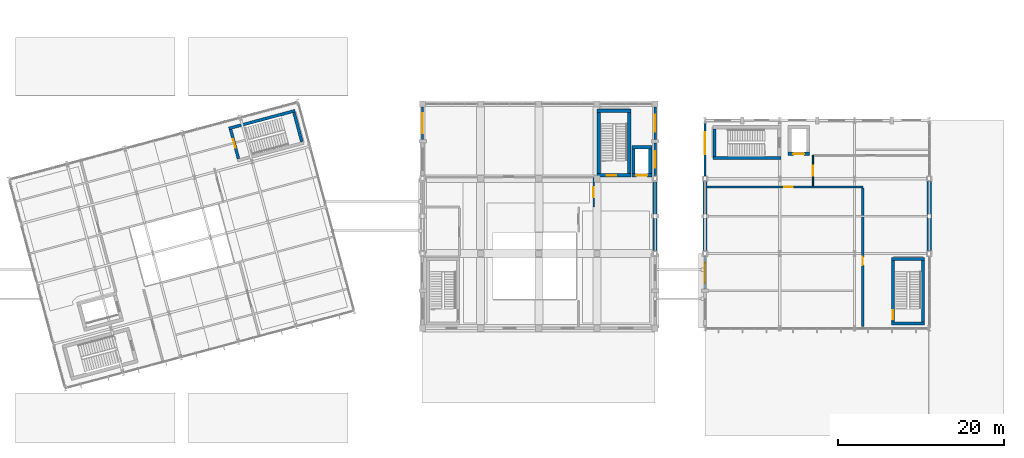
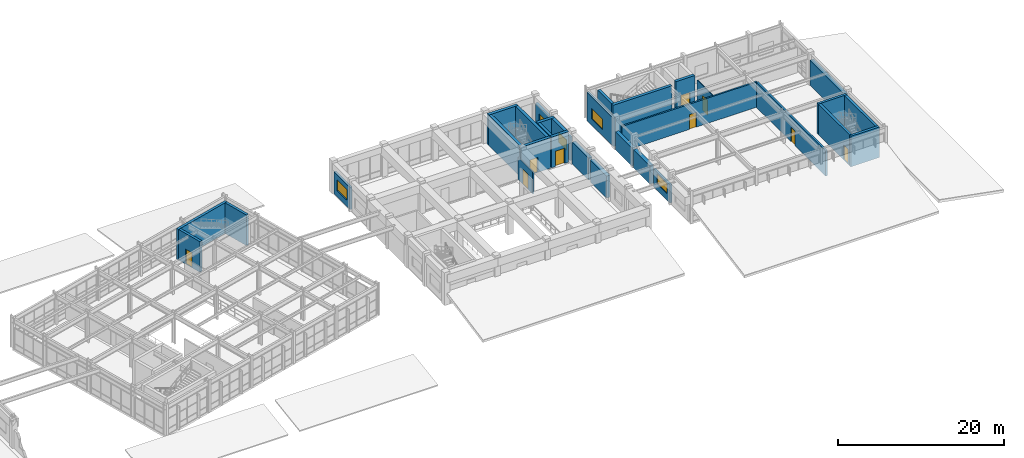
# One storey, part 85 of 104: 32 walls, 9 doors, 5 windows, 14 openings.
"""IFC4 building model written with IfcOpenShell, lengths in metres."""

from ifc_helpers import new_model, si_unit, direction, frame, frame_2d, origin, place, context, subcontext, project, spatial, rectangle, extrude, material, layer, layer_set, type_object, element, fill, save


model = new_model("IFC4")

# Units and contexts
model_context = context("Model", 3, precision=1e-05, world=origin(), true_north=direction((0.0, 1.0)))
body_context = subcontext(model_context, "Body", "Model", "MODEL_VIEW")
ifc_project = project(units=[si_unit("LENGTHUNIT", "METRE"), si_unit("AREAUNIT", "SQUARE_METRE"), si_unit("VOLUMEUNIT", "CUBIC_METRE"), si_unit("PLANEANGLEUNIT", "RADIAN"), si_unit("MASSUNIT", "GRAM", prefix="KILO")], contexts=[model_context])

# Site, building, storey
site_placement = place(None, origin())
site = spatial("IfcSite", under=ifc_project, at=site_placement, CompositionType="ELEMENT")
building_placement = place(site_placement, origin())
building = spatial("IfcBuilding", under=site, at=building_placement, Name="Ventoquebrada Cableway Terminal", CompositionType="ELEMENT")
storey_placement = place(building_placement, frame((0.0, 0.0, 4.800048828125)))
storey = spatial("IfcBuildingStorey", under=building, at=storey_placement, Name="L01", CompositionType="ELEMENT", Elevation=4.800048828125)

# Wall, opening, door
ifc_material_1 = material(Name="Concrete C40/50", Category="concrete")
ifc_layer_1 = layer(ifc_material_1, 0.39990234375)
ifc_layer_set_1 = layer_set([ifc_layer_1], Name="Concrete C40/50")
wall_type_1 = type_object("IfcWallType", Name="WL-CR1", PredefinedType="SHEAR", material=ifc_layer_set_1)
wall_1_placement = place(storey_placement, frame((116.0, 95.39990234375, 0.0), z_axis=(0.0, 0.0, 1.0), x_axis=(1.0, 0.0, 0.0)))
wall_1 = element("IfcWall", 1, at=wall_1_placement, inside=storey, type_object=wall_type_1, Name="Core shear wall IW-0137", PredefinedType="SHEAR", context=body_context, shape_type="SweptSolid", body=[
    extrude(rectangle(XDim=4.10009765625, YDim=0.39990234375, at=frame_2d((2.050048828125, 0.0))), origin(), (0.0, 0.0, 1.0), 4.489990234375),
])
opening_1_placement = place(wall_1_placement, frame((1.199951171875, 0.0, 0.0)))
opening_1 = element("IfcOpeningElement", 2, at=opening_1_placement, cuts=wall_1, Name="Opening D-017", PredefinedType="OPENING", context=body_context, shape_type="SweptSolid", body=[
    extrude(rectangle(XDim=1.10009765625, YDim=2.199951171875, at=frame_2d((0.550048828125, 1.10009765625))), frame((0.0, 0.2099609375, 0.0), z_axis=(0.0, -1.0, 0.0), x_axis=(1.0, 0.0, 0.0)), (0.0, 0.0, 1.0), 0.419921875),
])
ifc_material_2 = material(Name="Galvanized fire-rated steel door assembly", Category="steel")
door_type_1 = type_object("IfcDoorType", Name="DT-IN05", OperationType="SINGLE_SWING_LEFT", PredefinedType="DOOR", material=ifc_material_2)
door_1_placement = place(opening_1_placement, origin())
door_1 = element("IfcDoor", 3, at=door_1_placement, inside=storey, type_object=door_type_1, Name="Core K4-S stair fire door D-017", OperationType="SINGLE_SWING_RIGHT", OverallHeight=2.199951171875, OverallWidth=1.10009765625, PredefinedType="DOOR", context=body_context, shape_type="SweptSolid", body=[
    extrude(rectangle(XDim=1.10009765625, YDim=2.199951171875, at=frame_2d((0.550048828125, 1.10009765625))), frame((0.0, 0.02490234375, 0.0), z_axis=(0.0, -1.0, 0.0), x_axis=(1.0, 0.0, 0.0)), (0.0, 0.0, 1.0), 0.050048828125),
])
fill(opening_1, door_1)

# Walls
wall_2_placement = place(storey_placement, frame((119.89990234375, 95.60009765625, 0.0), z_axis=(0.0, 0.0, 1.0), x_axis=(0.0, 1.0, 0.0)))
element("IfcWall", 4, at=wall_2_placement, inside=storey, type_object=wall_type_1, Name="Core shear wall IW-0138", PredefinedType="SHEAR", context=body_context, shape_type="SweptSolid", body=[
    extrude(rectangle(XDim=7.39990234375, YDim=0.39990234375, at=frame_2d((3.699951171875, 0.0))), origin(), (0.0, 0.0, 1.0), 4.489990234375),
])
wall_3_placement = place(storey_placement, frame((120.10009765625, 103.199951171875, 0.0), z_axis=(0.0, 0.0, 1.0), x_axis=(-1.0, 0.0, 0.0)))
element("IfcWall", 5, at=wall_3_placement, inside=storey, type_object=wall_type_1, Name="Core shear wall IW-0139", PredefinedType="SHEAR", context=body_context, shape_type="SweptSolid", body=[
    extrude(rectangle(XDim=4.10009765625, YDim=0.39990234375, at=frame_2d((2.050048828125, 0.0))), origin(), (0.0, 0.0, 1.0), 4.489990234375),
])
wall_4_placement = place(storey_placement, frame((116.199951171875, 103.0, 0.0), z_axis=(0.0, 0.0, 1.0), x_axis=(0.0, -1.0, 0.0)))
element("IfcWall", 6, at=wall_4_placement, inside=storey, type_object=wall_type_1, Name="Core shear wall IW-0140", PredefinedType="SHEAR", context=body_context, shape_type="SweptSolid", body=[
    extrude(rectangle(XDim=7.39990234375, YDim=0.39990234375, at=frame_2d((3.699951171875, 0.0))), origin(), (0.0, 0.0, 1.0), 4.489990234375),
])

# Wall, opening, door
wall_5_placement = place(storey_placement, frame((120.199951171875, 95.39990234375, 0.0), z_axis=(0.0, 0.0, 1.0), x_axis=(1.0, 0.0, 0.0)))
wall_5 = element("IfcWall", 7, at=wall_5_placement, inside=storey, type_object=wall_type_1, Name="Core shear wall IW-0141", PredefinedType="SHEAR", context=body_context, shape_type="SweptSolid", body=[
    extrude(rectangle(XDim=2.400146484375, YDim=0.39990234375, at=frame_2d((1.2001953125, 0.0))), origin(), (0.0, 0.0, 1.0), 4.489990234375),
])
opening_2_placement = place(wall_5_placement, frame((0.550048828125, 0.0, 0.0)))
opening_2 = element("IfcOpeningElement", 8, at=opening_2_placement, cuts=wall_5, Name="Opening LD-017", PredefinedType="OPENING", context=body_context, shape_type="SweptSolid", body=[
    extrude(rectangle(XDim=1.300048828125, YDim=2.25, at=frame_2d((0.64990234375, 1.125))), frame((0.0, 0.2099609375, 0.0), z_axis=(0.0, -1.0, 0.0), x_axis=(1.0, 0.0, 0.0)), (0.0, 0.0, 1.0), 0.419921875),
])
ifc_material_3 = material(Name="Brushed stainless steel Grade 316", Category="steel")
door_type_2 = type_object("IfcDoorType", Name="DT-LD02", OperationType="SLIDING_TO_RIGHT", PredefinedType="DOOR", material=ifc_material_3)
door_2_placement = place(opening_2_placement, origin())
door_2 = element("IfcDoor", 9, at=door_2_placement, inside=storey, type_object=door_type_2, Name="Lift landing sliding door LD-017", OperationType="SLIDING_TO_RIGHT", OverallHeight=2.25, OverallWidth=1.300048828125, PredefinedType="DOOR", context=body_context, shape_type="SweptSolid", body=[
    extrude(rectangle(XDim=1.300048828125, YDim=2.25, at=frame_2d((0.64990234375, 1.125))), frame((0.0, 0.02490234375, 0.0), z_axis=(0.0, -1.0, 0.0), x_axis=(1.0, 0.0, 0.0)), (0.0, 0.0, 1.0), 0.050048828125),
])
fill(opening_2, door_2)

# Walls
wall_6_placement = place(storey_placement, frame((122.39990234375, 95.60009765625, 0.0), z_axis=(0.0, 0.0, 1.0), x_axis=(0.0, 1.0, 0.0)))
element("IfcWall", 10, at=wall_6_placement, inside=storey, type_object=wall_type_1, Name="Core shear wall IW-0142", PredefinedType="SHEAR", context=body_context, shape_type="SweptSolid", body=[
    extrude(rectangle(XDim=3.0, YDim=0.39990234375, at=frame_2d((1.5, 0.0))), origin(), (0.0, 0.0, 1.0), 4.489990234375),
])
wall_7_placement = place(storey_placement, frame((122.60009765625, 98.800048828125, 0.0), z_axis=(0.0, 0.0, 1.0), x_axis=(-1.0, 0.0, 0.0)))
element("IfcWall", 11, at=wall_7_placement, inside=storey, type_object=wall_type_1, Name="Core shear wall IW-0143", PredefinedType="SHEAR", context=body_context, shape_type="SweptSolid", body=[
    extrude(rectangle(XDim=2.400146484375, YDim=0.39990234375, at=frame_2d((1.2001953125, 0.0))), origin(), (0.0, 0.0, 1.0), 4.489990234375),
])
wall_8_placement = place(storey_placement, frame((120.39990234375, 98.60009765625, 0.0), z_axis=(0.0, 0.0, 1.0), x_axis=(0.0, -1.0, 0.0)))
element("IfcWall", 12, at=wall_8_placement, inside=storey, type_object=wall_type_1, Name="Core shear wall IW-0144", PredefinedType="SHEAR", context=body_context, shape_type="SweptSolid", body=[
    extrude(rectangle(XDim=3.0, YDim=0.39990234375, at=frame_2d((1.5, 0.0))), origin(), (0.0, 0.0, 1.0), 4.489990234375),
])
wall_9_placement = place(storey_placement, frame((129.949951171875, 97.5, 0.0), z_axis=(0.0, 0.0, 1.0), x_axis=(1.0, 0.0, 0.0)))
element("IfcWall", 13, at=wall_9_placement, inside=storey, type_object=wall_type_1, Name="Core shear wall IW-0169", PredefinedType="SHEAR", context=body_context, shape_type="SweptSolid", body=[
    extrude(rectangle(XDim=8.199951171875, YDim=0.39990234375, at=frame_2d((4.10009765625, 0.0))), origin(), (0.0, 0.0, 1.0), 4.489990234375),
])
wall_10_placement = place(storey_placement, frame((130.14990234375, 101.0, 0.0), z_axis=(0.0, 0.0, 1.0), x_axis=(0.0, -1.0, 0.0)))
element("IfcWall", 14, at=wall_10_placement, inside=storey, type_object=wall_type_1, Name="Core shear wall IW-0172", PredefinedType="SHEAR", context=body_context, shape_type="SweptSolid", body=[
    extrude(rectangle(XDim=3.300048828125, YDim=0.39990234375, at=frame_2d((1.64990234375, 0.0))), origin(), (0.0, 0.0, 1.0), 4.489990234375),
])

# Wall, opening, door
wall_11_placement = place(storey_placement, frame((139.0, 98.0, 0.0), z_axis=(0.0, 0.0, 1.0), x_axis=(1.0, 0.0, 0.0)))
wall_11 = element("IfcWall", 15, at=wall_11_placement, inside=storey, type_object=wall_type_1, Name="Core shear wall IW-0173", PredefinedType="SHEAR", context=body_context, shape_type="SweptSolid", body=[
    extrude(rectangle(XDim=2.60009765625, YDim=0.39990234375, at=frame_2d((1.300048828125, 0.0))), origin(), (0.0, 0.0, 1.0), 4.489990234375),
])
opening_3_placement = place(wall_11_placement, frame((0.64990234375, 0.0, 0.0)))
opening_3 = element("IfcOpeningElement", 16, at=opening_3_placement, cuts=wall_11, Name="Opening LD-021", PredefinedType="OPENING", context=body_context, shape_type="SweptSolid", body=[
    extrude(rectangle(XDim=1.300048828125, YDim=2.25, at=frame_2d((0.64990234375, 1.125))), frame((0.0, 0.2099609375, 0.0), z_axis=(0.0, -1.0, 0.0), x_axis=(1.0, 0.0, 0.0)), (0.0, 0.0, 1.0), 0.419921875),
])
door_3_placement = place(opening_3_placement, origin())
door_3 = element("IfcDoor", 17, at=door_3_placement, inside=storey, type_object=door_type_2, Name="Lift landing sliding door LD-021", OperationType="SLIDING_TO_RIGHT", OverallHeight=2.25, OverallWidth=1.300048828125, PredefinedType="DOOR", context=body_context, shape_type="SweptSolid", body=[
    extrude(rectangle(XDim=1.300048828125, YDim=2.25, at=frame_2d((0.64990234375, 1.125))), frame((0.0, 0.02490234375, 0.0), z_axis=(0.0, -1.0, 0.0), x_axis=(1.0, 0.0, 0.0)), (0.0, 0.0, 1.0), 0.050048828125),
])
fill(opening_3, door_3)

# Wall, opening, window
ifc_material_4 = material(Name="Precast architectural concrete C40/50", Category="concrete")
ifc_layer_2 = layer(ifc_material_4, 0.280029296875)
ifc_layer_set_2 = layer_set([ifc_layer_2], Name="Precast architectural concrete C40/50")
wall_type_2 = type_object("IfcWallType", Name="WL-EX1", PredefinedType="SOLIDWALL", material=ifc_layer_set_2)
wall_12_placement = place(storey_placement, frame((123.0, 95.3701171875, 0.0), z_axis=(0.0, 0.0, 1.0), x_axis=(0.0, 1.0, 0.0)))
wall_12 = element("IfcWall", 18, at=wall_12_placement, inside=storey, type_object=wall_type_2, Name="Exterior architectural wall EW-0211", PredefinedType="SOLIDWALL", context=body_context, shape_type="SweptSolid", body=[
    extrude(rectangle(XDim=3.909912109375, YDim=0.280029296875, at=frame_2d((1.955078125, 0.0))), origin(), (0.0, 0.0, 1.0), 3.494873046875),
])
opening_4_placement = place(wall_12_placement, frame((0.955078125, 0.0, 0.89990234375)))
opening_4 = element("IfcOpeningElement", 19, at=opening_4_placement, cuts=wall_12, Name="Opening WN-107", PredefinedType="OPENING", context=body_context, shape_type="SweptSolid", body=[
    extrude(rectangle(XDim=2.0, YDim=1.5, at=frame_2d((1.0, 0.75))), frame((0.0, 0.14990234375, 0.0), z_axis=(0.0, -1.0, 0.0), x_axis=(1.0, 0.0, 0.0)), (0.0, 0.0, 1.0), 0.300048828125),
])
ifc_material_5 = material(Name="Double low-e laminated safety glazing", Category="glass")
window_type_1 = type_object("IfcWindowType", Name="WT-07", PartitioningType="SINGLE_PANEL", PredefinedType="WINDOW", material=ifc_material_5)
window_1_placement = place(opening_4_placement, origin())
window_1 = element("IfcWindow", 20, at=window_1_placement, inside=storey, type_object=window_type_1, Name="Architectural punched window WN-107", OverallHeight=1.5, OverallWidth=2.0, PartitioningType="SINGLE_PANEL", PredefinedType="WINDOW", context=body_context, shape_type="SweptSolid", body=[
    extrude(rectangle(XDim=2.0, YDim=1.5, at=frame_2d((1.0, 0.75))), frame((0.0, 0.030029296875, 0.0), z_axis=(0.0, -1.0, 0.0), x_axis=(1.0, 0.0, 0.0)), (0.0, 0.0, 1.0), 0.06005859375),
])
fill(opening_4, window_1)

wall_13_placement = place(storey_placement, frame((95.0, 103.6298828125, 0.0), z_axis=(0.0, 0.0, 1.0), x_axis=(0.0, -1.0, 0.0)))
wall_13 = element("IfcWall", 21, at=wall_13_placement, inside=storey, type_object=wall_type_2, Name="Exterior architectural wall EW-0217", PredefinedType="SOLIDWALL", context=body_context, shape_type="SweptSolid", body=[
    extrude(rectangle(XDim=3.909912109375, YDim=0.280029296875, at=frame_2d((1.955078125, 0.0))), origin(), (0.0, 0.0, 1.0), 3.244873046875),
])
opening_5_placement = place(wall_13_placement, frame((0.7548828125, 0.0, 0.89990234375)))
opening_5 = element("IfcOpeningElement", 22, at=opening_5_placement, cuts=wall_13, Name="Opening WN-111", PredefinedType="OPENING", context=body_context, shape_type="SweptSolid", body=[
    extrude(rectangle(XDim=2.39990234375, YDim=1.550048828125, at=frame_2d((1.199951171875, 0.77490234375))), frame((0.0, 0.14990234375, 0.0), z_axis=(0.0, -1.0, 0.0), x_axis=(1.0, 0.0, 0.0)), (0.0, 0.0, 1.0), 0.300048828125),
])
window_type_2 = type_object("IfcWindowType", Name="WT-11", PartitioningType="SINGLE_PANEL", PredefinedType="WINDOW", material=ifc_material_5)
window_2_placement = place(opening_5_placement, origin())
window_2 = element("IfcWindow", 23, at=window_2_placement, inside=storey, type_object=window_type_2, Name="Architectural punched window WN-111", OverallHeight=1.550048828125, OverallWidth=2.39990234375, PartitioningType="SINGLE_PANEL", PredefinedType="WINDOW", context=body_context, shape_type="SweptSolid", body=[
    extrude(rectangle(XDim=2.39990234375, YDim=1.550048828125, at=frame_2d((1.199951171875, 0.77490234375))), frame((0.0, 0.030029296875, 0.0), z_axis=(0.0, -1.0, 0.0), x_axis=(1.0, 0.0, 0.0)), (0.0, 0.0, 1.0), 0.06005859375),
])
fill(opening_5, window_2)

wall_14_placement = place(storey_placement, frame((129.0, 85.655029296875, 0.0), z_axis=(0.0, 0.0, 1.0), x_axis=(0.0, -1.0, 0.0)))
wall_14 = element("IfcWall", 24, at=wall_14_placement, inside=storey, type_object=wall_type_2, Name="Exterior architectural wall EW-0268", PredefinedType="SOLIDWALL", context=body_context, shape_type="SweptSolid", body=[
    extrude(rectangle(XDim=3.9599609375, YDim=0.280029296875, at=frame_2d((1.97998046875, 0.0))), origin(), (0.0, 0.0, 1.0), 2.64794921875),
])
opening_6_placement = place(wall_14_placement, frame((0.780029296875, 0.0, 0.89990234375)))
opening_6 = element("IfcOpeningElement", 25, at=opening_6_placement, cuts=wall_14, Name="Opening WN-150", PredefinedType="OPENING", context=body_context, shape_type="SweptSolid", body=[
    extrude(rectangle(XDim=2.39990234375, YDim=1.5, at=frame_2d((1.199951171875, 0.75))), frame((0.0, 0.14990234375, 0.0), z_axis=(0.0, -1.0, 0.0), x_axis=(1.0, 0.0, 0.0)), (0.0, 0.0, 1.0), 0.300048828125),
])
window_type_3 = type_object("IfcWindowType", Name="WT-10", PartitioningType="SINGLE_PANEL", PredefinedType="WINDOW", material=ifc_material_5)
window_3_placement = place(opening_6_placement, origin())
window_3 = element("IfcWindow", 26, at=window_3_placement, inside=storey, type_object=window_type_3, Name="Architectural punched window WN-150", OverallHeight=1.5, OverallWidth=2.39990234375, PartitioningType="SINGLE_PANEL", PredefinedType="WINDOW", context=body_context, shape_type="SweptSolid", body=[
    extrude(rectangle(XDim=2.39990234375, YDim=1.5, at=frame_2d((1.199951171875, 0.75))), frame((0.0, 0.030029296875, 0.0), z_axis=(0.0, -1.0, 0.0), x_axis=(1.0, 0.0, 0.0)), (0.0, 0.0, 1.0), 0.06005859375),
])
fill(opening_6, window_3)

wall_15_placement = place(storey_placement, frame((129.0, 101.698974609375, 0.0), z_axis=(0.0, 0.0, 1.0), x_axis=(0.0, -1.0, 0.0)))
wall_15 = element("IfcWall", 27, at=wall_15_placement, inside=storey, type_object=wall_type_2, Name="Exterior architectural wall EW-0272", PredefinedType="SOLIDWALL", context=body_context, shape_type="SweptSolid", body=[
    extrude(rectangle(XDim=6.35400390625, YDim=0.280029296875, at=frame_2d((3.177001953125, 0.0))), origin(), (0.0, 0.0, 1.0), 4.169921875),
])
opening_7_placement = place(wall_15_placement, frame((1.126953125, 0.0, 0.89990234375)))
opening_7 = element("IfcOpeningElement", 28, at=opening_7_placement, cuts=wall_15, Name="Opening WN-152", PredefinedType="OPENING", context=body_context, shape_type="SweptSolid", body=[
    extrude(rectangle(XDim=2.60009765625, YDim=1.550048828125, at=frame_2d((1.300048828125, 0.77490234375))), frame((0.0, 0.14990234375, 0.0), z_axis=(0.0, -1.0, 0.0), x_axis=(1.0, 0.0, 0.0)), (0.0, 0.0, 1.0), 0.300048828125),
])
window_type_4 = type_object("IfcWindowType", Name="WT-12", PartitioningType="SINGLE_PANEL", PredefinedType="WINDOW", material=ifc_material_5)
window_4_placement = place(opening_7_placement, origin())
window_4 = element("IfcWindow", 29, at=window_4_placement, inside=storey, type_object=window_type_4, Name="Architectural punched window WN-152", OverallHeight=1.550048828125, OverallWidth=2.60009765625, PartitioningType="SINGLE_PANEL", PredefinedType="WINDOW", context=body_context, shape_type="SweptSolid", body=[
    extrude(rectangle(XDim=2.60009765625, YDim=1.550048828125, at=frame_2d((1.300048828125, 0.77490234375))), frame((0.0, 0.030029296875, 0.0), z_axis=(0.0, -1.0, 0.0), x_axis=(1.0, 0.0, 0.0)), (0.0, 0.0, 1.0), 0.06005859375),
])
fill(opening_7, window_4)

ifc_layer_3 = layer(ifc_material_4, 0.320068359375)
ifc_layer_set_3 = layer_set([ifc_layer_3], Name="Precast architectural concrete C40/50")
wall_type_3 = type_object("IfcWallType", Name="WL-EX2", PredefinedType="SOLIDWALL", material=ifc_layer_set_3)
wall_16_placement = place(storey_placement, frame((123.0, 99.719970703125, 0.0), z_axis=(0.0, 0.0, 1.0), x_axis=(0.0, 1.0, 0.0)))
wall_16 = element("IfcWall", 30, at=wall_16_placement, inside=storey, type_object=wall_type_3, Name="Exterior architectural wall EW-0212", PredefinedType="SOLIDWALL", context=body_context, shape_type="SweptSolid", body=[
    extrude(rectangle(XDim=3.909912109375, YDim=0.320068359375, at=frame_2d((1.955078125, 0.0))), origin(), (0.0, 0.0, 1.0), 3.494873046875),
])
opening_8_placement = place(wall_16_placement, frame((0.905029296875, 0.0, 0.89990234375)))
opening_8 = element("IfcOpeningElement", 31, at=opening_8_placement, cuts=wall_16, Name="Opening WN-108", PredefinedType="OPENING", context=body_context, shape_type="SweptSolid", body=[
    extrude(rectangle(XDim=2.10009765625, YDim=1.550048828125, at=frame_2d((1.050048828125, 0.77490234375))), frame((0.0, 0.169921875, 0.0), z_axis=(0.0, -1.0, 0.0), x_axis=(1.0, 0.0, 0.0)), (0.0, 0.0, 1.0), 0.340087890625),
])
window_type_5 = type_object("IfcWindowType", Name="WT-08", PartitioningType="SINGLE_PANEL", PredefinedType="WINDOW", material=ifc_material_5)
window_5_placement = place(opening_8_placement, origin())
window_5 = element("IfcWindow", 32, at=window_5_placement, inside=storey, type_object=window_type_5, Name="Architectural punched window WN-108", OverallHeight=1.550048828125, OverallWidth=2.10009765625, PartitioningType="SINGLE_PANEL", PredefinedType="WINDOW", context=body_context, shape_type="SweptSolid", body=[
    extrude(rectangle(XDim=2.10009765625, YDim=1.550048828125, at=frame_2d((1.050048828125, 0.77490234375))), frame((0.0, 0.030029296875, 0.0), z_axis=(0.0, -1.0, 0.0), x_axis=(1.0, 0.0, 0.0)), (0.0, 0.0, 1.0), 0.06005859375),
])
fill(opening_8, window_5)

# Wall, opening, door
ifc_material_6 = material(Name="Fire-rated gypsum partition board on steel framing", Category="steel")
ifc_layer_4 = layer(ifc_material_6, 0.14990234375)
ifc_layer_set_4 = layer_set([ifc_layer_4], Name="Fire-rated gypsum partition board on steel framing")
wall_type_4 = type_object("IfcWallType", Name="WL-PT2", PredefinedType="PARTITIONING", material=ifc_layer_set_4)
wall_17_placement = place(storey_placement, frame((115.60009765625, 91.60009765625, 0.0), z_axis=(0.0, 0.0, 1.0), x_axis=(0.0, 1.0, 0.0)))
wall_17 = element("IfcWall", 33, at=wall_17_placement, inside=storey, type_object=wall_type_4, Name="Interior partition IW-0372", PredefinedType="PARTITIONING", context=body_context, shape_type="SweptSolid", body=[
    extrude(rectangle(XDim=3.5419921875, YDim=0.14990234375, at=frame_2d((1.77099609375, 0.0))), origin(), (0.0, 0.0, 1.0), 3.23486328125),
])
opening_9_placement = place(wall_17_placement, frame((1.1708984375, 0.0, 0.0)))
opening_9 = element("IfcOpeningElement", 34, at=opening_9_placement, cuts=wall_17, Name="Opening D-101", PredefinedType="OPENING", context=body_context, shape_type="SweptSolid", body=[
    extrude(rectangle(XDim=1.199951171875, YDim=2.199951171875, at=frame_2d((0.60009765625, 1.10009765625))), frame((0.0, 0.0849609375, 0.0), z_axis=(0.0, -1.0, 0.0), x_axis=(1.0, 0.0, 0.0)), (0.0, 0.0, 1.0), 0.169921875),
])
door_type_3 = type_object("IfcDoorType", Name="DT-IN06", OperationType="SINGLE_SWING_RIGHT", PredefinedType="DOOR", material=ifc_material_2)
door_4_placement = place(opening_9_placement, origin())
door_4 = element("IfcDoor", 35, at=door_4_placement, inside=storey, type_object=door_type_3, Name="K4 Mezzanine Lobby Door D-101", OperationType="SINGLE_SWING_RIGHT", OverallHeight=2.199951171875, OverallWidth=1.199951171875, PredefinedType="DOOR", context=body_context, shape_type="SweptSolid", body=[
    extrude(rectangle(XDim=1.199951171875, YDim=2.199951171875, at=frame_2d((0.60009765625, 1.10009765625))), frame((0.0, 0.02490234375, 0.0), z_axis=(0.0, -1.0, 0.0), x_axis=(1.0, 0.0, 0.0)), (0.0, 0.0, 1.0), 0.050048828125),
])
fill(opening_9, door_4)

ifc_material_7 = material(Name="Autoclaved aerated concrete blockwork", Category="masonry")
ifc_layer_5 = layer(ifc_material_7, 0.22998046875)
ifc_layer_set_5 = layer_set([ifc_layer_5], Name="Autoclaved aerated concrete blockwork")
wall_type_5 = type_object("IfcWallType", Name="WL-PT5", PredefinedType="PARTITIONING", material=ifc_layer_set_5)
wall_18_placement = place(storey_placement, frame((129.248046875, 94.0, 0.0), z_axis=(0.0, 0.0, 1.0), x_axis=(1.0, 0.0, 0.0)))
wall_18 = element("IfcWall", 36, at=wall_18_placement, inside=storey, type_object=wall_type_5, Name="Interior partition IW-0375", PredefinedType="PARTITIONING", context=body_context, shape_type="SweptSolid", body=[
    extrude(rectangle(XDim=18.751953125, YDim=0.22998046875, at=frame_2d((9.3759765625, 0.0))), origin(), (0.0, 0.0, 1.0), 3.697998046875),
])
opening_10_placement = place(wall_18_placement, frame((9.325927734375, 0.0, 0.0)))
opening_10 = element("IfcOpeningElement", 37, at=opening_10_placement, cuts=wall_18, Name="Opening D-103", PredefinedType="OPENING", context=body_context, shape_type="SweptSolid", body=[
    extrude(rectangle(XDim=1.0, YDim=2.14990234375, at=frame_2d((0.5, 1.074951171875))), frame((0.0, 0.125, 0.0), z_axis=(0.0, -1.0, 0.0), x_axis=(1.0, 0.0, 0.0)), (0.0, 0.0, 1.0), 0.25),
])
ifc_material_8 = material(Name="Fire-retardant oak acoustic door leaf")
door_type_4 = type_object("IfcDoorType", Name="DT-IN02", OperationType="SINGLE_SWING_RIGHT", PredefinedType="DOOR", material=ifc_material_8)
door_5_placement = place(opening_10_placement, origin())
door_5 = element("IfcDoor", 38, at=door_5_placement, inside=storey, type_object=door_type_4, Name="Safety Training Room Door D-103", OperationType="SINGLE_SWING_RIGHT", OverallHeight=2.14990234375, OverallWidth=1.0, PredefinedType="DOOR", context=body_context, shape_type="SweptSolid", body=[
    extrude(rectangle(XDim=1.0, YDim=2.14990234375, at=frame_2d((0.5, 1.074951171875))), frame((0.0, 0.02490234375, 0.0), z_axis=(0.0, -1.0, 0.0), x_axis=(1.0, 0.0, 0.0)), (0.0, 0.0, 1.0), 0.050048828125),
])
fill(opening_10, door_5)

ifc_layer_6 = layer(ifc_material_7, 0.260009765625)
ifc_layer_set_6 = layer_set([ifc_layer_6], Name="Autoclaved aerated concrete blockwork")
wall_type_6 = type_object("IfcWallType", Name="WL-PT6", PredefinedType="PARTITIONING", material=ifc_layer_set_6)
wall_19_placement = place(storey_placement, frame((148.0, 77.199951171875, 0.0), z_axis=(0.0, 0.0, 1.0), x_axis=(0.0, 1.0, 0.0)))
wall_19 = element("IfcWall", 39, at=wall_19_placement, inside=storey, type_object=wall_type_6, Name="Interior partition IW-0376", PredefinedType="PARTITIONING", context=body_context, shape_type="SweptSolid", body=[
    extrude(rectangle(XDim=16.68701171875, YDim=0.260009765625, at=frame_2d((8.343505859375, 0.0))), origin(), (0.0, 0.0, 1.0), 3.697998046875),
])
opening_11_placement = place(wall_19_placement, frame((7.39306640625, 0.0, 0.0)))
opening_11 = element("IfcOpeningElement", 40, at=opening_11_placement, cuts=wall_19, Name="Opening D-104", PredefinedType="OPENING", context=body_context, shape_type="SweptSolid", body=[
    extrude(rectangle(XDim=1.0, YDim=2.14990234375, at=frame_2d((0.5, 1.074951171875))), frame((0.0, 0.139892578125, 0.0), z_axis=(0.0, -1.0, 0.0), x_axis=(1.0, 0.0, 0.0)), (0.0, 0.0, 1.0), 0.280029296875),
])
door_6_placement = place(opening_11_placement, origin())
door_6 = element("IfcDoor", 41, at=door_6_placement, inside=storey, type_object=door_type_4, Name="Fleet Engineering Office Door D-104", OperationType="SINGLE_SWING_LEFT", OverallHeight=2.14990234375, OverallWidth=1.0, PredefinedType="DOOR", context=body_context, shape_type="SweptSolid", body=[
    extrude(rectangle(XDim=1.0, YDim=2.14990234375, at=frame_2d((0.5, 1.074951171875))), frame((0.0, 0.02490234375, 0.0), z_axis=(0.0, -1.0, 0.0), x_axis=(1.0, 0.0, 0.0)), (0.0, 0.0, 1.0), 0.050048828125),
])
fill(opening_11, door_6)

ifc_layer_7 = layer(ifc_material_6, 0.135009765625)
ifc_layer_set_7 = layer_set([ifc_layer_7], Name="Fire-rated gypsum partition board on steel framing")
wall_type_7 = type_object("IfcWallType", Name="WL-PT7", PredefinedType="PARTITIONING", material=ifc_layer_set_7)
wall_20_placement = place(storey_placement, frame((142.0, 94.113037109375, 0.0), z_axis=(0.0, 0.0, 1.0), x_axis=(0.0, 1.0, 0.0)))
wall_20 = element("IfcWall", 42, at=wall_20_placement, inside=storey, type_object=wall_type_7, Name="Interior partition IW-0377", PredefinedType="PARTITIONING", context=body_context, shape_type="SweptSolid", body=[
    extrude(rectangle(XDim=3.68701171875, YDim=0.135009765625, at=frame_2d((1.843505859375, 0.0))), origin(), (0.0, 0.0, 1.0), 3.697998046875),
])
opening_12_placement = place(wall_20_placement, frame((1.242919921875, 0.0, 0.0)))
opening_12 = element("IfcOpeningElement", 43, at=opening_12_placement, cuts=wall_20, Name="Opening D-105", PredefinedType="OPENING", context=body_context, shape_type="SweptSolid", body=[
    extrude(rectangle(XDim=1.199951171875, YDim=2.199951171875, at=frame_2d((0.60009765625, 1.10009765625))), frame((0.0, 0.077392578125, 0.0), z_axis=(0.0, -1.0, 0.0), x_axis=(1.0, 0.0, 0.0)), (0.0, 0.0, 1.0), 0.155029296875),
])
door_7_placement = place(opening_12_placement, origin())
door_7 = element("IfcDoor", 44, at=door_7_placement, inside=storey, type_object=door_type_3, Name="K5 Mezzanine Lobby Door D-105", OperationType="SINGLE_SWING_RIGHT", OverallHeight=2.199951171875, OverallWidth=1.199951171875, PredefinedType="DOOR", context=body_context, shape_type="SweptSolid", body=[
    extrude(rectangle(XDim=1.199951171875, YDim=2.199951171875, at=frame_2d((0.60009765625, 1.10009765625))), frame((0.0, 0.02490234375, 0.0), z_axis=(0.0, -1.0, 0.0), x_axis=(1.0, 0.0, 0.0)), (0.0, 0.0, 1.0), 0.050048828125),
])
fill(opening_12, door_7)

# Walls
ifc_layer_8 = layer(ifc_material_1, 0.35009765625)
ifc_layer_set_8 = layer_set([ifc_layer_8], Name="Concrete C40/50")
wall_type_8 = type_object("IfcWallType", Name="WL-SH1", PredefinedType="SHEAR", material=ifc_layer_set_8)
wall_21_placement = place(storey_placement, frame((151.47509765625, 77.550048828125, 0.0), z_axis=(0.0, 0.0, 1.0), x_axis=(1.0, 0.0, 0.0)))
element("IfcWall", 45, at=wall_21_placement, inside=storey, type_object=wall_type_8, Name="Core shear wall IW-0253", PredefinedType="SHEAR", context=body_context, shape_type="SweptSolid", body=[
    extrude(rectangle(XDim=3.949951171875, YDim=0.35009765625, at=frame_2d((1.97509765625, 0.0))), origin(), (0.0, 0.0, 1.0), 4.489990234375),
])
wall_22_placement = place(storey_placement, frame((155.25, 77.72509765625, 0.0), z_axis=(0.0, 0.0, 1.0), x_axis=(0.0, 1.0, 0.0)))
element("IfcWall", 46, at=wall_22_placement, inside=storey, type_object=wall_type_8, Name="Core shear wall IW-0254", PredefinedType="SHEAR", context=body_context, shape_type="SweptSolid", body=[
    extrude(rectangle(XDim=7.449951171875, YDim=0.35009765625, at=frame_2d((3.72509765625, 0.0))), origin(), (0.0, 0.0, 1.0), 4.489990234375),
])
wall_23_placement = place(storey_placement, frame((155.425048828125, 85.35009765625, 0.0), z_axis=(0.0, 0.0, 1.0), x_axis=(-1.0, 0.0, 0.0)))
element("IfcWall", 47, at=wall_23_placement, inside=storey, type_object=wall_type_8, Name="Core shear wall IW-0255", PredefinedType="SHEAR", context=body_context, shape_type="SweptSolid", body=[
    extrude(rectangle(XDim=3.949951171875, YDim=0.35009765625, at=frame_2d((1.97509765625, 0.0))), origin(), (0.0, 0.0, 1.0), 4.489990234375),
])

# Wall, opening, door
wall_24_placement = place(storey_placement, frame((151.64990234375, 85.175048828125, 0.0), z_axis=(0.0, 0.0, 1.0), x_axis=(0.0, -1.0, 0.0)))
wall_24 = element("IfcWall", 48, at=wall_24_placement, inside=storey, type_object=wall_type_8, Name="Core shear wall IW-0256", PredefinedType="SHEAR", context=body_context, shape_type="SweptSolid", body=[
    extrude(rectangle(XDim=7.449951171875, YDim=0.35009765625, at=frame_2d((3.72509765625, 0.0))), origin(), (0.0, 0.0, 1.0), 4.489990234375),
])
opening_13_placement = place(wall_24_placement, frame((6.0, 0.0, 0.0)))
opening_13 = element("IfcOpeningElement", 49, at=opening_13_placement, cuts=wall_24, Name="Opening D-038", PredefinedType="OPENING", context=body_context, shape_type="SweptSolid", body=[
    extrude(rectangle(XDim=1.10009765625, YDim=2.199951171875, at=frame_2d((0.550048828125, 1.10009765625))), frame((0.0, 0.18505859375, 0.0), z_axis=(0.0, -1.0, 0.0), x_axis=(1.0, 0.0, 0.0)), (0.0, 0.0, 1.0), 0.3701171875),
])
door_8_placement = place(opening_13_placement, origin())
door_8 = element("IfcDoor", 50, at=door_8_placement, inside=storey, type_object=door_type_1, Name="Core V4-SEC stair fire door D-038", OperationType="SINGLE_SWING_LEFT", OverallHeight=2.199951171875, OverallWidth=1.10009765625, PredefinedType="DOOR", context=body_context, shape_type="SweptSolid", body=[
    extrude(rectangle(XDim=1.10009765625, YDim=2.199951171875, at=frame_2d((0.550048828125, 1.10009765625))), frame((0.0, 0.02490234375, 0.0), z_axis=(0.0, -1.0, 0.0), x_axis=(1.0, 0.0, 0.0)), (0.0, 0.0, 1.0), 0.050048828125),
])
fill(opening_13, door_8)

# Walls
wall_25_placement = place(storey_placement, frame((80.471923828125, 99.445068359375, 0.0), z_axis=(0.0, 0.0, 1.0), x_axis=(-0.258903281768, 0.965903251206, 0.0)))
element("IfcWall", 51, at=wall_25_placement, inside=storey, type_object=wall_type_8, Name="Core shear wall IW-0286", PredefinedType="SHEAR", context=body_context, shape_type="SweptSolid", body=[
    extrude(rectangle(XDim=3.6494140625, YDim=0.35009765625, at=frame_2d((1.82470703125, 0.0))), origin(), (0.0, 0.0, 1.0), 4.489990234375),
])
wall_26_placement = place(storey_placement, frame((79.65087890625, 103.18408203125, 0.0), z_axis=(0.0, 0.0, 1.0), x_axis=(-0.965963766628, -0.258677408293, 0.0)))
element("IfcWall", 52, at=wall_26_placement, inside=storey, type_object=wall_type_8, Name="Core shear wall IW-0287", PredefinedType="SHEAR", context=body_context, shape_type="SweptSolid", body=[
    extrude(rectangle(XDim=8.249755859375, YDim=0.35009765625, at=frame_2d((4.125, 0.0))), origin(), (0.0, 0.0, 1.0), 4.489990234375),
])

# Wall, opening, door
wall_27_placement = place(storey_placement, frame((71.89599609375, 100.926025390625, 0.0), z_axis=(0.0, 0.0, 1.0), x_axis=(0.259131609127, -0.965842020804, 0.0)))
wall_27 = element("IfcWall", 53, at=wall_27_placement, inside=storey, type_object=wall_type_8, Name="Core shear wall IW-0288", PredefinedType="SHEAR", context=body_context, shape_type="SweptSolid", body=[
    extrude(rectangle(XDim=3.65087890625, YDim=0.35009765625, at=frame_2d((1.825439453125, 0.0))), origin(), (0.0, 0.0, 1.0), 4.489990234375),
])
opening_14_placement = place(wall_27_placement, frame((1.199951171875, 0.0, 0.0)))
opening_14 = element("IfcOpeningElement", 54, at=opening_14_placement, cuts=wall_27, Name="Opening D-045", PredefinedType="OPENING", context=body_context, shape_type="SweptSolid", body=[
    extrude(rectangle(XDim=1.10009765625, YDim=2.199951171875, at=frame_2d((0.550048828125, 1.10009765625))), frame((0.0, 0.18505859375, 0.0), z_axis=(0.0, -1.0, 0.0), x_axis=(1.0, 0.0, 0.0)), (0.0, 0.0, 1.0), 0.3701171875),
])
door_9_placement = place(opening_14_placement, origin())
door_9 = element("IfcDoor", 55, at=door_9_placement, inside=storey, type_object=door_type_1, Name="Core V1-EAST stair fire door D-045", OperationType="SINGLE_SWING_RIGHT", OverallHeight=2.199951171875, OverallWidth=1.10009765625, PredefinedType="DOOR", context=body_context, shape_type="SweptSolid", body=[
    extrude(rectangle(XDim=1.10009765625, YDim=2.199951171875, at=frame_2d((0.550048828125, 1.10009765625))), frame((0.0, 0.02490234375, 0.0), z_axis=(0.0, -1.0, 0.0), x_axis=(1.0, 0.0, 0.0)), (0.0, 0.0, 1.0), 0.050048828125),
])
fill(opening_14, door_9)

# Walls
ifc_material_9 = material(Name="Concrete C45/55", Category="concrete")
ifc_layer_9 = layer(ifc_material_9, 0.5)
ifc_layer_set_9 = layer_set([ifc_layer_9], Name="Concrete C45/55")
wall_type_9 = type_object("IfcWallType", Name="WL-SH2", PredefinedType="SHEAR", material=ifc_layer_set_9)
for number, where, z_axis, x_axis, name in (
    (56, (123.0, 86.3701171875, 0.0), (0.0, 0.0, 1.0), (0.0, 1.0, 0.0), "Exterior architectural wall EW-0209"),
    (57, (123.0, 90.719970703125, 0.0), (0.0, 0.0, 1.0), (0.0, 1.0, 0.0), "Exterior architectural wall EW-0210"),
):
    element("IfcWall", number, at=place(storey_placement, frame(where, z_axis=z_axis, x_axis=x_axis)), inside=storey, type_object=wall_type_9, Name=name, PredefinedType="SHEAR", context=body_context, shape_type="SweptSolid", body=[
        extrude(rectangle(XDim=3.909912109375, YDim=0.5, at=frame_2d((1.955078125, 0.0))), origin(), (0.0, 0.0, 1.0), 3.244873046875),
    ])
wall_28_placement = place(storey_placement, frame((156.0, 86.344970703125, 0.0), z_axis=(0.0, 0.0, 1.0), x_axis=(0.0, 1.0, 0.0)))
element("IfcWall", 58, at=wall_28_placement, inside=storey, type_object=wall_type_9, Name="Exterior architectural wall EW-0261", PredefinedType="SHEAR", context=body_context, shape_type="SweptSolid", body=[
    extrude(rectangle(XDim=8.31005859375, YDim=0.5, at=frame_2d((4.155029296875, 0.0))), origin(), (0.0, 0.0, 1.0), 3.7080078125),
])
for number, where, z_axis, x_axis, name in (
    (59, (129.0, 94.655029296875, 0.0), (0.0, 0.0, 1.0), (0.0, -1.0, 0.0), "Exterior architectural wall EW-0270"),
    (60, (129.0, 90.304931640625, 0.0), (0.0, 0.0, 1.0), (0.0, -1.0, 0.0), "Exterior architectural wall EW-0271"),
):
    element("IfcWall", number, at=place(storey_placement, frame(where, z_axis=z_axis, x_axis=x_axis)), inside=storey, type_object=wall_type_9, Name=name, PredefinedType="SHEAR", context=body_context, shape_type="SweptSolid", body=[
        extrude(rectangle(XDim=3.9599609375, YDim=0.5, at=frame_2d((1.97998046875, 0.0))), origin(), (0.0, 0.0, 1.0), 2.64794921875),
    ])

save(model, "model.ifc")
